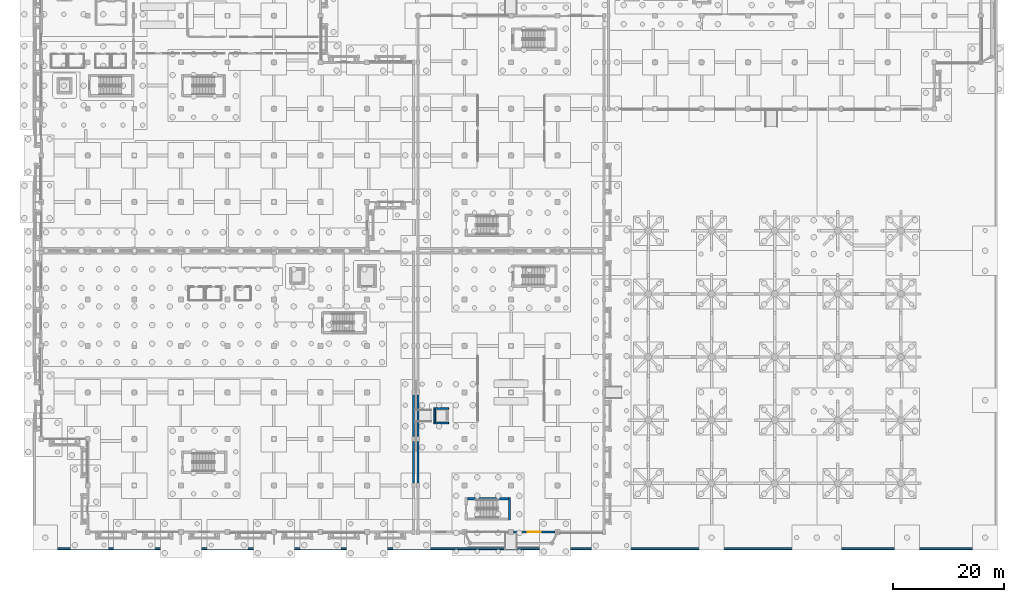
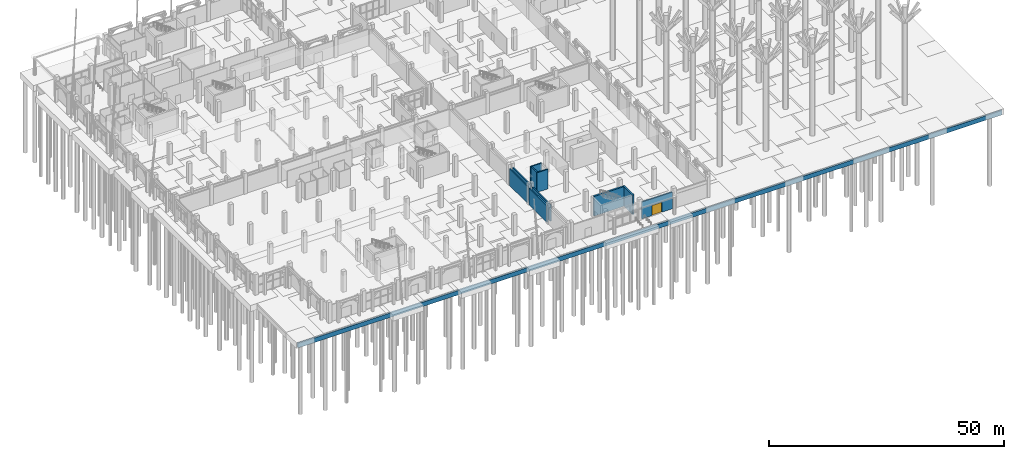
# One storey, part 64 of 98: 11 walls, 1 door, 1 opening.
"""IFC4 building model written with IfcOpenShell, lengths in metres."""

from ifc_helpers import new_model, si_unit, direction, frame, frame_2d, origin, place, context, subcontext, project, spatial, rectangle, extrude, material, layer, layer_set, type_object, element, fill, save


model = new_model("IFC4")

# Units and contexts
model_context = context("Model", 3, precision=1e-05, world=origin(), true_north=direction((0.0, 1.0)))
body_context = subcontext(model_context, "Body", "Model", "MODEL_VIEW")
ifc_project = project(units=[si_unit("LENGTHUNIT", "METRE"), si_unit("AREAUNIT", "SQUARE_METRE"), si_unit("VOLUMEUNIT", "CUBIC_METRE"), si_unit("PLANEANGLEUNIT", "RADIAN"), si_unit("MASSUNIT", "GRAM", prefix="KILO")], contexts=[model_context])

# Site, building, storey
site_placement = place(None, origin())
site = spatial("IfcSite", under=ifc_project, at=site_placement, CompositionType="ELEMENT")
building_placement = place(site_placement, origin())
building = spatial("IfcBuilding", under=site, at=building_placement, Name="Xazarin Passage Department Store", CompositionType="ELEMENT")
storey_placement = place(building_placement, origin())
storey = spatial("IfcBuildingStorey", under=building, at=storey_placement, Name="L00", CompositionType="ELEMENT", Elevation=0.0)

# Wall, opening, door
ifc_material_1 = material(Name="Buff Baku clay brick", Category="masonry")
ifc_layer_1 = layer(ifc_material_1, 0.320068359375)
ifc_layer_set_1 = layer_set([ifc_layer_1], Name="Buff Baku clay brick")
wall_type_1 = type_object("IfcWallType", Name="ARC-W-EXT320", PredefinedType="SOLIDWALL", material=ifc_layer_set_1)
wall_1_placement = place(storey_placement, frame((85.22509765625, 0.0, 0.0), z_axis=(0.0, 0.0, 1.0), x_axis=(1.0, 0.0, 0.0)))
wall_1 = element("IfcWall", 1, at=wall_1_placement, inside=storey, type_object=wall_type_1, Name="L00 V2S Exterior Wall 088", PredefinedType="SOLIDWALL", context=body_context, shape_type="SweptSolid", body=[
    extrude(rectangle(XDim=7.5498046875, YDim=0.320068359375, at=frame_2d((3.77490234375, 0.0))), origin(), (0.0, 0.0, 1.0), 4.35009765625),
])
opening_placement = place(wall_1_placement, frame((2.574951171875, 0.0, 0.0)))
opening = element("IfcOpeningElement", 2, at=opening_placement, cuts=wall_1, Name="Opening ED1", PredefinedType="OPENING", context=body_context, shape_type="SweptSolid", body=[
    extrude(rectangle(XDim=2.39990234375, YDim=2.60009765625, at=frame_2d((1.199951171875, 1.300048828125))), frame((0.0, 0.169921875, 0.0), z_axis=(0.0, -1.0, 0.0), x_axis=(1.0, 0.0, 0.0)), (0.0, 0.0, 1.0), 0.340087890625),
])
ifc_material_2 = material(Name="Bronze anodised aluminium", Category="aluminium")
door_type = type_object("IfcDoorType", Name="ARC-DR-ENT240", OperationType="NOTDEFINED", PredefinedType="DOOR", material=ifc_material_2)
door_placement = place(opening_placement, origin())
door = element("IfcDoor", 3, at=door_placement, inside=storey, type_object=door_type, Name="DR-EXT-013", OperationType="DOUBLE_DOOR_SINGLE_SWING", OverallHeight=2.60009765625, OverallWidth=2.39990234375, PredefinedType="DOOR", context=body_context, shape_type="SweptSolid", body=[
    extrude(rectangle(XDim=2.39990234375, YDim=2.60009765625, at=frame_2d((1.199951171875, 1.300048828125))), frame((0.0, 0.02490234375, 0.0), z_axis=(0.0, -1.0, 0.0), x_axis=(1.0, 0.0, 0.0)), (0.0, 0.0, 1.0), 0.050048828125),
])
fill(opening, door)

# Walls
wall_2_placement = place(storey_placement, frame((68.0, 8.824951171875, 0.0), z_axis=(0.0, 0.0, 1.0), x_axis=(0.0, 1.0, 0.0)))
element("IfcWall", 4, at=wall_2_placement, inside=storey, type_object=wall_type_1, Name="L00 V2S Exterior Wall 095", PredefinedType="SOLIDWALL", context=body_context, shape_type="SweptSolid", body=[
    extrude(rectangle(XDim=7.550048828125, YDim=0.320068359375, at=frame_2d((3.77490234375, 0.0))), origin(), (0.0, 0.0, 1.0), 4.35009765625),
])
wall_3_placement = place(storey_placement, frame((68.0, 17.22509765625, 0.0), z_axis=(0.0, 0.0, 1.0), x_axis=(0.0, 1.0, 0.0)))
element("IfcWall", 5, at=wall_3_placement, inside=storey, type_object=wall_type_1, Name="L00 V2S Exterior Wall 096", PredefinedType="SOLIDWALL", context=body_context, shape_type="SweptSolid", body=[
    extrude(rectangle(XDim=7.5498046875, YDim=0.320068359375, at=frame_2d((3.77490234375, 0.0))), origin(), (0.0, 0.0, 1.0), 4.35009765625),
])
wall_4_placement = place(storey_placement, frame((67.199951171875, 8.824951171875, 0.0), z_axis=(0.0, 0.0, 1.0), x_axis=(0.0, 1.0, 0.0)))
element("IfcWall", 6, at=wall_4_placement, inside=storey, type_object=wall_type_1, Name="L00 V3 Exterior Wall 200", PredefinedType="SOLIDWALL", context=body_context, shape_type="SweptSolid", body=[
    extrude(rectangle(XDim=7.550048828125, YDim=0.320068359375, at=frame_2d((3.77490234375, 0.0))), origin(), (0.0, 0.0, 1.0), 4.330078125),
])
wall_5_placement = place(storey_placement, frame((67.199951171875, 17.22509765625, 0.0), z_axis=(0.0, 0.0, 1.0), x_axis=(0.0, 1.0, 0.0)))
element("IfcWall", 7, at=wall_5_placement, inside=storey, type_object=wall_type_1, Name="L00 V3 Exterior Wall 201", PredefinedType="SOLIDWALL", context=body_context, shape_type="SweptSolid", body=[
    extrude(rectangle(XDim=7.5498046875, YDim=0.320068359375, at=frame_2d((3.77490234375, 0.0))), origin(), (0.0, 0.0, 1.0), 4.330078125),
])
ifc_material_3 = material(Name="Absheron limestone cladding", Category="masonry")
ifc_layer_2 = layer(ifc_material_3, 0.360107421875)
ifc_layer_set_2 = layer_set([ifc_layer_2], Name="Absheron limestone cladding")
wall_type_2 = type_object("IfcWallType", Name="ARC-W-EXT360", PredefinedType="SOLIDWALL", material=ifc_layer_set_2)
wall_6_placement = place(storey_placement, frame((-1.10009765625, -3.02001953125, -1.5), z_axis=(0.0, 0.0, 1.0), x_axis=(1.0, 0.0, 0.0)))
element("IfcWall", 8, at=wall_6_placement, inside=storey, type_object=wall_type_2, Name="L00 Civic Plaza Limestone Plinth Skirt 1", PredefinedType="SOLIDWALL", context=body_context, shape_type="SweptSolid", body=[
    extrude(rectangle(XDim=173.300048828125, YDim=0.360107421875, at=frame_2d((86.64990234375, 0.0))), origin(), (0.0, 0.0, 1.0), 1.14990234375),
])
ifc_material_4 = material(Name="Concrete C40/50", Category="concrete")
ifc_layer_3 = layer(ifc_material_4, 0.31005859375)
ifc_layer_set_3 = layer_set([ifc_layer_3], Name="Concrete C40/50")
wall_type_3 = type_object("IfcWallType", Name="STR-W-LFT310", PredefinedType="SHEAR", material=ifc_layer_set_3)
for number, where, z_axis, x_axis, name in (
    (9, (70.8701171875, 19.675048828125, 0.0), (0.0, 0.0, 1.0), (1.0, 0.0, 0.0), "L00 Lift PL3 Shaft Wall South"),
    (10, (70.8701171875, 22.324951171875, 0.0), (0.0, 0.0, 1.0), (1.0, 0.0, 0.0), "L00 Lift PL3 Shaft Wall North"),
):
    element("IfcWall", number, at=place(storey_placement, frame(where, z_axis=z_axis, x_axis=x_axis)), inside=storey, type_object=wall_type_3, Name=name, PredefinedType="SHEAR", context=body_context, shape_type="SweptSolid", body=[
        extrude(rectangle(XDim=2.659912109375, YDim=0.31005859375, at=frame_2d((1.330078125, 0.0))), origin(), (0.0, 0.0, 1.0), 5.10009765625),
    ])
wall_7_placement = place(storey_placement, frame((71.02490234375, 19.830078125, 0.0), z_axis=(0.0, 0.0, 1.0), x_axis=(0.0, 1.0, 0.0)))
element("IfcWall", 11, at=wall_7_placement, inside=storey, type_object=wall_type_3, Name="L00 Lift PL3 Shaft Wall West", PredefinedType="SHEAR", context=body_context, shape_type="SweptSolid", body=[
    extrude(rectangle(XDim=2.33984375, YDim=0.31005859375, at=frame_2d((1.169921875, 0.0))), origin(), (0.0, 0.0, 1.0), 5.10009765625),
])
ifc_layer_4 = layer(ifc_material_4, 0.419921875)
ifc_layer_set_4 = layer_set([ifc_layer_4], Name="Concrete C40/50")
wall_type_4 = type_object("IfcWallType", Name="STR-W-SHR420", PredefinedType="SHEAR", material=ifc_layer_set_4)
wall_8_placement = place(storey_placement, frame((84.510009765625, 2.159912109375, 0.0), z_axis=(0.0, 0.0, 1.0), x_axis=(0.0, 1.0, 0.0)))
element("IfcWall", 12, at=wall_8_placement, inside=storey, type_object=wall_type_4, Name="L00 Core K4 East Shear Wall", PredefinedType="SHEAR", context=body_context, shape_type="SweptSolid", body=[
    extrude(rectangle(XDim=4.080078125, YDim=0.419921875, at=frame_2d((2.0400390625, 0.0))), origin(), (0.0, 0.0, 1.0), 5.10009765625),
])
wall_9_placement = place(storey_placement, frame((76.89990234375, 6.030029296875, 0.0), z_axis=(0.0, 0.0, 1.0), x_axis=(1.0, 0.0, 0.0)))
element("IfcWall", 13, at=wall_9_placement, inside=storey, type_object=wall_type_4, Name="L00 Core K4 North Shear Wall", PredefinedType="SHEAR", context=body_context, shape_type="SweptSolid", body=[
    extrude(rectangle(XDim=7.400146484375, YDim=0.419921875, at=frame_2d((3.7001953125, 0.0))), origin(), (0.0, 0.0, 1.0), 5.10009765625),
])

save(model, "model.ifc")
